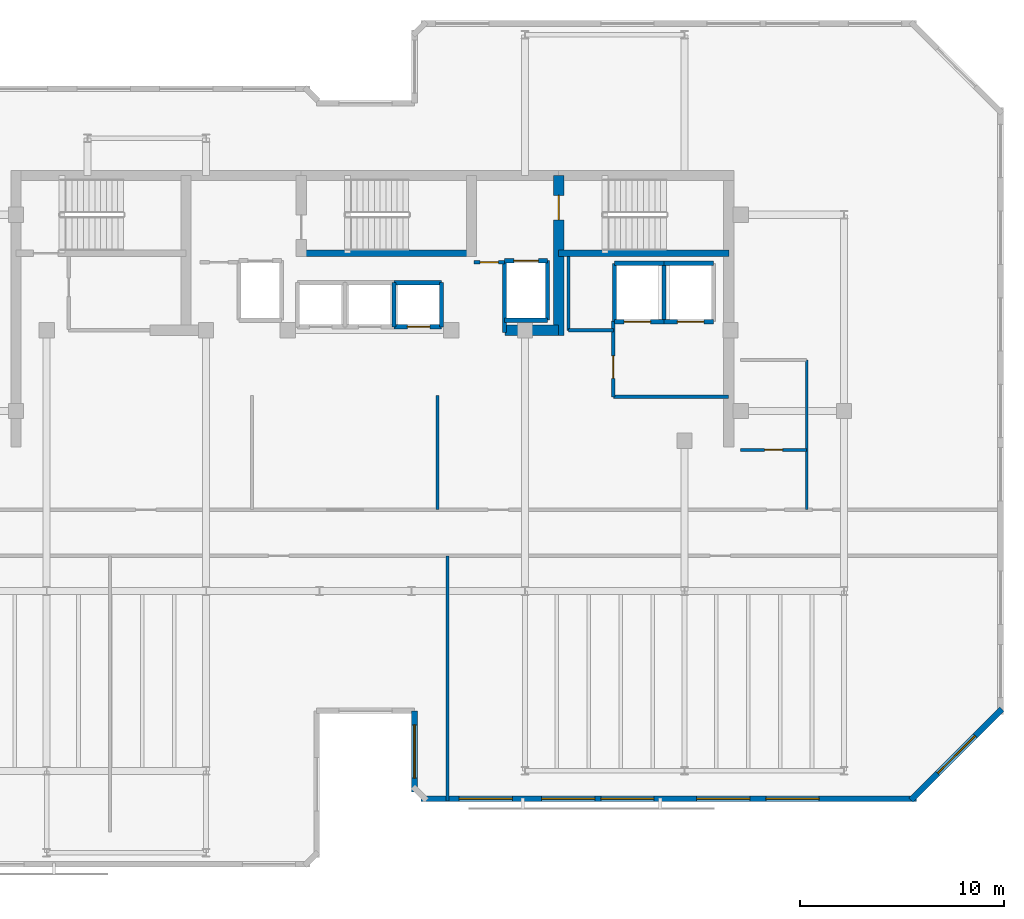
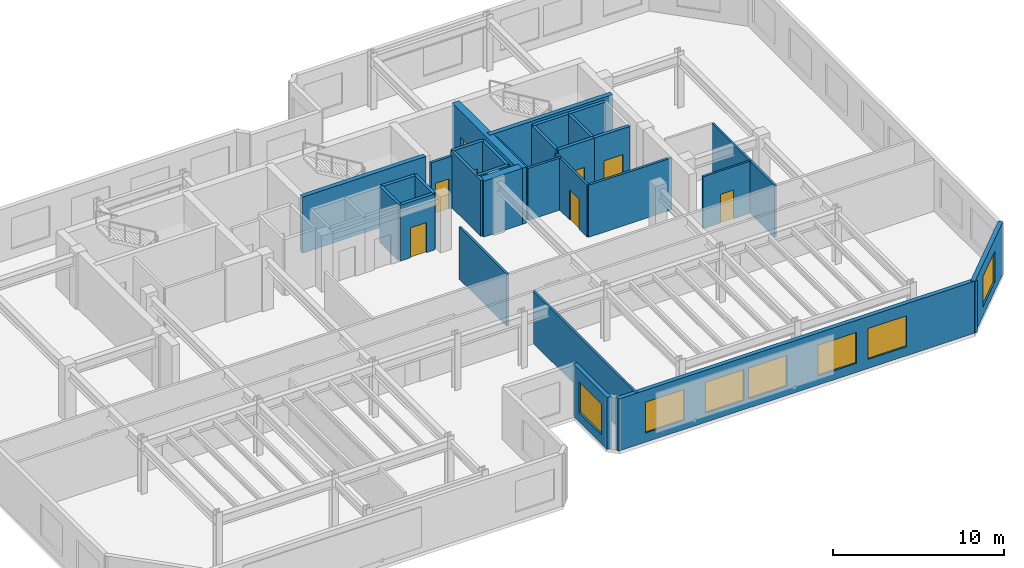
# One storey, part 5 of 9: 30 walls, 8 doors, 7 windows, 15 openings.
"""IFC4 building model written with IfcOpenShell, lengths in metres."""

import ifcopenshell
import ifcopenshell.guid

model = None  # the IFC model being written
_history = None  # IfcOwnerHistory: only IFC2X3 demands one
_inside = {}  # id of a spatial element -> (the spatial element, [elements in it])
_under = {}  # id of a project, library or spatial element -> (it, [spatial elements below it])
_declared = {}  # id of a project -> (the project, [libraries it declares])
_typed = {}  # id of a type object -> (the type object, [elements of that type])
_made_of = {}  # id of a material, layer set ... -> (it, [elements and type objects made of it])


def new_model(schema):
    """Start an empty IFC model of exactly this schema.

    Asked for "IFC4X3", IfcOpenShell would pick the latest addendum, in which some entities
    have other attributes; the version numbers below select the first issue.
    IFC2X3 requires an IfcOwnerHistory on every rooted entity: one is made here for all.
    """
    global model, _history
    if schema == "IFC4X3":
        model = ifcopenshell.file(schema_version=(4, 3, 0, 0))
    else:
        model = ifcopenshell.file(schema=schema)
    _inside.clear()
    _under.clear()
    _declared.clear()
    _typed.clear()
    _made_of.clear()
    _history = None
    if model.schema == "IFC2X3":
        org = make("IfcOrganization", Name="unknown")
        user = make(
            "IfcPersonAndOrganization",
            ThePerson=make("IfcPerson", FamilyName="unknown"),
            TheOrganization=org,
        )
        app = make(
            "IfcApplication",
            ApplicationDeveloper=org,
            Version="unknown",
            ApplicationFullName="unknown",
            ApplicationIdentifier="unknown",
        )
        _history = make(
            "IfcOwnerHistory",
            OwningUser=user,
            OwningApplication=app,
            ChangeAction="ADDED",
            CreationDate=0,
        )
    return model


def make(cls, **values):
    """One entity of the class cls with the attributes given. An attribute that is None is left unset."""
    return model.create_entity(
        cls, **{name: value for name, value in values.items() if value is not None}
    )


def rooted(cls, **values):
    """An entity with a GlobalId (a new one), such as an element, a storey or a relation."""
    return make(cls, GlobalId=ifcopenshell.guid.new(), OwnerHistory=_history, **values)


def si_unit(unit_type, name, prefix=None):
    """IfcSIUnit, for example si_unit("LENGTHUNIT", "METRE", prefix="MILLI")."""
    return make("IfcSIUnit", UnitType=unit_type, Prefix=prefix, Name=name)


def assignment(units):
    """IfcUnitAssignment: the units of a project."""
    return None if units is None else make("IfcUnitAssignment", Units=units)


def point(xyz):
    """IfcCartesianPoint."""
    return None if xyz is None else make("IfcCartesianPoint", Coordinates=xyz)


def direction(xyz):
    """IfcDirection."""
    return None if xyz is None else make("IfcDirection", DirectionRatios=xyz)


def frame(location, z_axis=None, x_axis=None):
    """IfcAxis2Placement3D, a coordinate frame: its origin and axes. An axis left out is left unset."""
    return make(
        "IfcAxis2Placement3D",
        Location=point(location),
        Axis=direction(z_axis),
        RefDirection=direction(x_axis),
    )


def frame_2d(location, x_axis=None):
    """IfcAxis2Placement2D, a coordinate frame in the plane: its origin and x axis."""
    return make(
        "IfcAxis2Placement2D", Location=point(location), RefDirection=direction(x_axis)
    )


def origin():
    """The frame at (0, 0, 0) with its axes left unset."""
    return frame((0.0, 0.0, 0.0))


def place(relative_to, where):
    """IfcLocalPlacement: puts the frame where relative to a parent placement (None: the world)."""
    return make(
        "IfcLocalPlacement", PlacementRelTo=relative_to, RelativePlacement=where
    )


def context(
    kind, dimensions, precision=None, world=None, true_north=None, identifier=None
):
    """IfcGeometricRepresentationContext, for example the 3D "Model" context."""
    return make(
        "IfcGeometricRepresentationContext",
        ContextIdentifier=identifier,
        ContextType=kind,
        CoordinateSpaceDimension=dimensions,
        Precision=precision,
        WorldCoordinateSystem=world,
        TrueNorth=true_north,
    )


def subcontext(parent, identifier, kind, view, scale=None):
    """IfcGeometricRepresentationSubContext, for example "Body" below "Model"."""
    return make(
        "IfcGeometricRepresentationSubContext",
        ContextIdentifier=identifier,
        ContextType=kind,
        ParentContext=parent,
        TargetScale=scale,
        TargetView=view,
    )


def project(units=None, contexts=None):
    """IfcProject with its units and contexts."""
    return rooted(
        "IfcProject",
        Name="project",
        RepresentationContexts=contexts,
        UnitsInContext=assignment(units),
    )


def spatial(cls, under=None, at=None, **own):
    """A site, building, storey or space (cls), placed at a placement, below another one or the project."""
    s = rooted(cls, ObjectPlacement=at, **own)
    if under is not None:
        _under.setdefault(under.id(), (under, []))[1].append(s)
    return s


def profile(cls, at=None, kind="AREA", **sizes):
    """A parametric profile (cls). Its sizes go by their IFC names, for example OverallWidth=200.0."""
    return make(cls, ProfileType=kind, Position=at, **sizes)


def rectangle(**sizes):
    """IfcRectangleProfileDef."""
    return profile("IfcRectangleProfileDef", **sizes)


def extrude(swept, where, along, depth):
    """IfcExtrudedAreaSolid: the profile swept, set in the frame where, extruded along a direction by depth."""
    return make(
        "IfcExtrudedAreaSolid",
        SweptArea=swept,
        Position=where,
        ExtrudedDirection=direction(along),
        Depth=depth,
    )


def shape(context_of_items, identifier, shape_type, items):
    """IfcShapeRepresentation: the items that make up one representation, for example the "Body"."""
    return make(
        "IfcShapeRepresentation",
        ContextOfItems=context_of_items,
        RepresentationIdentifier=identifier,
        RepresentationType=shape_type,
        Items=items,
    )


def material(Name=None, Category=None):
    """IfcMaterial."""
    return make("IfcMaterial", Name=Name, Category=Category)


def layer(
    of_material, thickness, ventilated=None, Name=None, Category=None, Priority=None
):
    """IfcMaterialLayer: one layer of a wall or slab, of a material (None: an air gap)."""
    return make(
        "IfcMaterialLayer",
        Material=of_material,
        LayerThickness=thickness,
        IsVentilated=ventilated,
        Name=Name,
        Category=Category,
        Priority=Priority,
    )


def layer_set(layers, Name=None):
    """IfcMaterialLayerSet."""
    return make("IfcMaterialLayerSet", MaterialLayers=layers, LayerSetName=Name)


def made_of(thing, what):
    """Note that an element or type object is made of a material, layer set ...; save() writes the relation."""
    if what is not None:
        _made_of.setdefault(what.id(), (what, []))[1].append(thing)
    return thing


def type_object(cls, material=None, **own):
    """A type object (cls), such as IfcWallType, which elements share."""
    return made_of(rooted(cls, **own), material)


def element(
    cls,
    number,
    at=None,
    inside=None,
    cuts=None,
    type_object=None,
    material=None,
    context=None,
    identifier="Body",
    shape_type=None,
    held_by="IfcProductDefinitionShape",
    body=None,
    shapes=None,
    **own,
):
    """One element of the class cls, such as IfcWall. Its Tag is "e" and its number.

    at: its placement. inside: the storey or other place that contains it. cuts: it is an
    opening in that element (IfcRelVoidsElement). A single representation is given by context,
    identifier, shape_type and body (its items); several are given by shapes. held_by: the class
    of the entity that holds the representations. save() writes the other relations.
    """
    e = rooted(cls, Tag="e%d" % number, ObjectPlacement=at, **own)
    if body is not None:
        shapes = [shape(context, identifier, shape_type, body)]
    if shapes is not None:
        e.Representation = make(held_by, Representations=shapes)
    if inside is not None:
        _inside.setdefault(inside.id(), (inside, []))[1].append(e)
    if cuts is not None:
        rooted(
            "IfcRelVoidsElement", RelatingBuildingElement=cuts, RelatedOpeningElement=e
        )
    if type_object is not None:
        _typed.setdefault(type_object.id(), (type_object, []))[1].append(e)
    return made_of(e, material)


def fill(opening, filler):
    """IfcRelFillsElement: the door or window that sits in an opening."""
    return rooted(
        "IfcRelFillsElement",
        RelatingOpeningElement=opening,
        RelatedBuildingElement=filler,
    )


def aggregate(whole, parts):
    """IfcRelAggregates: a whole, such as a stair, and the parts it consists of."""
    return rooted("IfcRelAggregates", RelatingObject=whole, RelatedObjects=parts)


def save(model, path):
    """Write the relations noted so far, then the file.

    IfcRelAggregates (storeys below a building ...), IfcRelContainedInSpatialStructure (elements
    in a storey), IfcRelDefinesByType, IfcRelAssociatesMaterial and IfcRelDeclares: one each for
    every whole, place, type object, material and project.
    """
    for whole, parts in _under.values():
        aggregate(whole, parts)
    for where, things in _inside.values():
        rooted(
            "IfcRelContainedInSpatialStructure",
            RelatedElements=things,
            RelatingStructure=where,
        )
    for kind, things in _typed.values():
        rooted("IfcRelDefinesByType", RelatedObjects=things, RelatingType=kind)
    for what, things in _made_of.values():
        rooted("IfcRelAssociatesMaterial", RelatedObjects=things, RelatingMaterial=what)
    for by, libraries in _declared.values():
        rooted("IfcRelDeclares", RelatingContext=by, RelatedDefinitions=libraries)
    model.write(path)


model = new_model("IFC4")

# Units and contexts
model_context = context("Model", 3, precision=1e-05, world=origin(), true_north=direction((0.0, 1.0)))
body_context = subcontext(model_context, "Body", "Model", "MODEL_VIEW")
ifc_project = project(units=[si_unit("LENGTHUNIT", "METRE"), si_unit("AREAUNIT", "SQUARE_METRE"), si_unit("VOLUMEUNIT", "CUBIC_METRE"), si_unit("PLANEANGLEUNIT", "RADIAN"), si_unit("MASSUNIT", "GRAM", prefix="KILO")], contexts=[model_context])

# Site, building, storey
site_placement = place(None, origin())
site = spatial("IfcSite", under=ifc_project, at=site_placement, CompositionType="ELEMENT")
building_placement = place(site_placement, origin())
building = spatial("IfcBuilding", under=site, at=building_placement, Name="Kestravale Grand Hotel", CompositionType="ELEMENT")
storey_placement = place(building_placement, frame((0.0, 0.0, 293.39990234375)))
storey = spatial("IfcBuildingStorey", under=building, at=storey_placement, Name="L73", CompositionType="ELEMENT", Elevation=293.39990234375)

# Wall
ifc_material_1 = material(Name="Concrete f'c 50 MPa", Category="concrete")
ifc_layer_1 = layer(ifc_material_1, 0.5)
ifc_layer_set_1 = layer_set([ifc_layer_1], Name="EW-CORE-500")
wall_type_1 = type_object("IfcWallType", Name="EW-CORE-500", PredefinedType="SHEAR", material=ifc_layer_set_1)
wall_1_placement = place(storey_placement, frame((45.81005859375, 32.75, 0.0), z_axis=(0.0, 0.0, 1.0), x_axis=(1.0, 0.0, 0.0)))
element("IfcWall", 1, at=wall_1_placement, inside=storey, type_object=wall_type_1, Name="L73 core shear wall S2", PredefinedType="SHEAR", context=body_context, shape_type="SweptSolid", body=[
    extrude(rectangle(XDim=2.639892578125, YDim=0.5, at=frame_2d((1.31982421875, 0.0))), origin(), (0.0, 0.0, 1.0), 4.0),
])

# Wall, opening, door
wall_2_placement = place(storey_placement, frame((48.449951171875, 32.5, 0.0), z_axis=(0.0, 0.0, 1.0), x_axis=(0.0, 1.0, 0.0)))
wall_2 = element("IfcWall", 2, at=wall_2_placement, inside=storey, type_object=wall_type_1, Name="L73 core shear wall X4", PredefinedType="SHEAR", context=body_context, shape_type="SweptSolid", body=[
    extrude(rectangle(XDim=7.820068359375, YDim=0.5, at=frame_2d((3.91015625, 0.0))), origin(), (0.0, 0.0, 1.0), 4.0),
])
opening_1_placement = place(wall_2_placement, frame((5.64990234375, 0.0, 0.0)))
opening_1 = element("IfcOpeningElement", 3, at=opening_1_placement, cuts=wall_2, Name="Opening D-ST-1200", PredefinedType="OPENING", context=body_context, shape_type="SweptSolid", body=[
    extrude(rectangle(XDim=1.199951171875, YDim=2.14990234375, at=frame_2d((0.60009765625, 1.074951171875))), frame((0.0, 0.260009765625, 0.0), z_axis=(0.0, -1.0, 0.0), x_axis=(1.0, 0.0, 0.0)), (0.0, 0.0, 1.0), 0.52001953125),
])
ifc_material_2 = material(Name="Galvanised 90-minute fire-rated steel stair door, wide leaf", Category="steel")
door_type_1 = type_object("IfcDoorType", Name="D-ST-1200", OperationType="NOTDEFINED", PredefinedType="DOOR", material=ifc_material_2)
door_1_placement = place(opening_1_placement, origin())
door_1 = element("IfcDoor", 4, at=door_1_placement, inside=storey, type_object=door_type_1, Name="L73 Stair ST-3 FSAE fire door", OperationType="SINGLE_SWING_RIGHT", OverallHeight=2.14990234375, OverallWidth=1.199951171875, PredefinedType="DOOR", context=body_context, shape_type="SweptSolid", body=[
    extrude(rectangle(XDim=1.199951171875, YDim=2.14990234375, at=frame_2d((0.60009765625, 1.074951171875))), frame((0.0, 0.02490234375, 0.0), z_axis=(0.0, -1.0, 0.0), x_axis=(1.0, 0.0, 0.0)), (0.0, 0.0, 1.0), 0.050048828125),
])
fill(opening_1, door_1)

# Wall, opening, window
ifc_material_3 = material(Name="Precast concrete f'c 45 MPa", Category="concrete")
ifc_layer_2 = layer(ifc_material_3, 0.280029296875)
ifc_layer_set_2 = layer_set([ifc_layer_2], Name="EW-PREC-280")
wall_type_2 = type_object("IfcWallType", Name="EW-PREC-280", PredefinedType="SOLIDWALL", material=ifc_layer_set_2)
wall_3_placement = place(storey_placement, frame((41.389892578125, 14.139892578125, 0.0), z_axis=(0.0, 0.0, 1.0), x_axis=(0.0, -1.0, 0.0)))
wall_3 = element("IfcWall", 5, at=wall_3_placement, inside=storey, type_object=wall_type_2, Name="L73 fluted precast facade wall 5", PredefinedType="SOLIDWALL", context=body_context, shape_type="SweptSolid", body=[
    extrude(rectangle(XDim=3.97998046875, YDim=0.280029296875, at=frame_2d((1.989990234375, 0.0))), origin(), (0.0, 0.0, 1.0), 3.710205078125),
])
opening_2_placement = place(wall_3_placement, frame((0.68994140625, 0.0, 0.64990234375)))
opening_2 = element("IfcOpeningElement", 6, at=opening_2_placement, cuts=wall_3, Name="Opening W-SKY-2600", PredefinedType="OPENING", context=body_context, shape_type="SweptSolid", body=[
    extrude(rectangle(XDim=2.60009765625, YDim=2.199951171875, at=frame_2d((1.300048828125, 1.10009765625))), frame((0.0, 0.14990234375, 0.0), z_axis=(0.0, -1.0, 0.0), x_axis=(1.0, 0.0, 0.0)), (0.0, 0.0, 1.0), 0.300048828125),
])
ifc_material_4 = material(Name="Insulated low-E double glazing in aluminium frame", Category="aluminium")
window_type = type_object("IfcWindowType", Name="W-SKY-2600", PartitioningType="TRIPLE_PANEL_VERTICAL", PredefinedType="WINDOW", material=ifc_material_4)
window_1_placement = place(opening_2_placement, origin())
window_1 = element("IfcWindow", 7, at=window_1_placement, inside=storey, type_object=window_type, Name="L73 exterior window 5.1", OverallHeight=2.199951171875, OverallWidth=2.60009765625, PartitioningType="SINGLE_PANEL", PredefinedType="WINDOW", context=body_context, shape_type="SweptSolid", body=[
    extrude(rectangle(XDim=2.60009765625, YDim=2.199951171875, at=frame_2d((1.300048828125, 1.10009765625))), frame((0.0, 0.030029296875, 0.0), z_axis=(0.0, -1.0, 0.0), x_axis=(1.0, 0.0, 0.0)), (0.0, 0.0, 1.0), 0.06005859375),
])
fill(opening_2, window_1)

# Wall, openings, windows
wall_4_placement = place(storey_placement, frame((41.7099609375, 9.840087890625, 0.0), z_axis=(0.0, 0.0, 1.0), x_axis=(1.0, 0.0, 0.0)))
wall_4 = element("IfcWall", 8, at=wall_4_placement, inside=storey, type_object=wall_type_2, Name="L73 fluted precast facade wall 7", PredefinedType="SOLIDWALL", context=body_context, shape_type="SweptSolid", body=[
    extrude(rectangle(XDim=24.22998046875, YDim=0.280029296875, at=frame_2d((12.114990234375, 0.0))), origin(), (0.0, 0.0, 1.0), 3.710205078125),
])
opening_3_placement = place(wall_4_placement, frame((1.869140625, 0.0, 0.64990234375)))
opening_3 = element("IfcOpeningElement", 9, at=opening_3_placement, cuts=wall_4, Name="Opening W-SKY-2600", PredefinedType="OPENING", context=body_context, shape_type="SweptSolid", body=[
    extrude(rectangle(XDim=2.60009765625, YDim=2.199951171875, at=frame_2d((1.300048828125, 1.10009765625))), frame((0.0, 0.14990234375, 0.0), z_axis=(0.0, -1.0, 0.0), x_axis=(1.0, 0.0, 0.0)), (0.0, 0.0, 1.0), 0.300048828125),
])
opening_4_placement = place(wall_4_placement, frame((5.907470703125, 0.0, 0.64990234375)))
opening_4 = element("IfcOpeningElement", 10, at=opening_4_placement, cuts=wall_4, Name="Opening W-SKY-2600", PredefinedType="OPENING", context=body_context, shape_type="SweptSolid", body=[
    extrude(rectangle(XDim=2.60009765625, YDim=2.199951171875, at=frame_2d((1.300048828125, 1.10009765625))), frame((0.0, 0.14990234375, 0.0), z_axis=(0.0, -1.0, 0.0), x_axis=(1.0, 0.0, 0.0)), (0.0, 0.0, 1.0), 0.300048828125),
])
opening_5_placement = place(wall_4_placement, frame((8.7958984375, 0.0, 0.64990234375)))
opening_5 = element("IfcOpeningElement", 11, at=opening_5_placement, cuts=wall_4, Name="Opening W-SKY-2600", PredefinedType="OPENING", context=body_context, shape_type="SweptSolid", body=[
    extrude(rectangle(XDim=2.60009765625, YDim=2.199951171875, at=frame_2d((1.300048828125, 1.10009765625))), frame((0.0, 0.14990234375, 0.0), z_axis=(0.0, -1.0, 0.0), x_axis=(1.0, 0.0, 0.0)), (0.0, 0.0, 1.0), 0.300048828125),
])
opening_6_placement = place(wall_4_placement, frame((13.484130859375, 0.0, 0.64990234375)))
opening_6 = element("IfcOpeningElement", 12, at=opening_6_placement, cuts=wall_4, Name="Opening W-SKY-2600", PredefinedType="OPENING", context=body_context, shape_type="SweptSolid", body=[
    extrude(rectangle(XDim=2.60009765625, YDim=2.199951171875, at=frame_2d((1.300048828125, 1.10009765625))), frame((0.0, 0.14990234375, 0.0), z_axis=(0.0, -1.0, 0.0), x_axis=(1.0, 0.0, 0.0)), (0.0, 0.0, 1.0), 0.300048828125),
])
opening_7_placement = place(wall_4_placement, frame((16.87255859375, 0.0, 0.64990234375)))
opening_7 = element("IfcOpeningElement", 13, at=opening_7_placement, cuts=wall_4, Name="Opening W-SKY-2600", PredefinedType="OPENING", context=body_context, shape_type="SweptSolid", body=[
    extrude(rectangle(XDim=2.60009765625, YDim=2.199951171875, at=frame_2d((1.300048828125, 1.10009765625))), frame((0.0, 0.14990234375, 0.0), z_axis=(0.0, -1.0, 0.0), x_axis=(1.0, 0.0, 0.0)), (0.0, 0.0, 1.0), 0.300048828125),
])
window_2_placement = place(opening_3_placement, origin())
window_2 = element("IfcWindow", 14, at=window_2_placement, inside=storey, type_object=window_type, Name="L73 exterior window 7.1", OverallHeight=2.199951171875, OverallWidth=2.60009765625, PartitioningType="SINGLE_PANEL", PredefinedType="WINDOW", context=body_context, shape_type="SweptSolid", body=[
    extrude(rectangle(XDim=2.60009765625, YDim=2.199951171875, at=frame_2d((1.300048828125, 1.10009765625))), frame((0.0, 0.030029296875, 0.0), z_axis=(0.0, -1.0, 0.0), x_axis=(1.0, 0.0, 0.0)), (0.0, 0.0, 1.0), 0.06005859375),
])
fill(opening_3, window_2)
window_3_placement = place(opening_4_placement, origin())
window_3 = element("IfcWindow", 15, at=window_3_placement, inside=storey, type_object=window_type, Name="L73 exterior window 7.2", OverallHeight=2.199951171875, OverallWidth=2.60009765625, PartitioningType="SINGLE_PANEL", PredefinedType="WINDOW", context=body_context, shape_type="SweptSolid", body=[
    extrude(rectangle(XDim=2.60009765625, YDim=2.199951171875, at=frame_2d((1.300048828125, 1.10009765625))), frame((0.0, 0.030029296875, 0.0), z_axis=(0.0, -1.0, 0.0), x_axis=(1.0, 0.0, 0.0)), (0.0, 0.0, 1.0), 0.06005859375),
])
fill(opening_4, window_3)
window_4_placement = place(opening_5_placement, origin())
window_4 = element("IfcWindow", 16, at=window_4_placement, inside=storey, type_object=window_type, Name="L73 exterior window 7.3", OverallHeight=2.199951171875, OverallWidth=2.60009765625, PartitioningType="SINGLE_PANEL", PredefinedType="WINDOW", context=body_context, shape_type="SweptSolid", body=[
    extrude(rectangle(XDim=2.60009765625, YDim=2.199951171875, at=frame_2d((1.300048828125, 1.10009765625))), frame((0.0, 0.030029296875, 0.0), z_axis=(0.0, -1.0, 0.0), x_axis=(1.0, 0.0, 0.0)), (0.0, 0.0, 1.0), 0.06005859375),
])
fill(opening_5, window_4)
window_5_placement = place(opening_6_placement, origin())
window_5 = element("IfcWindow", 17, at=window_5_placement, inside=storey, type_object=window_type, Name="L73 exterior window 7.4", OverallHeight=2.199951171875, OverallWidth=2.60009765625, PartitioningType="SINGLE_PANEL", PredefinedType="WINDOW", context=body_context, shape_type="SweptSolid", body=[
    extrude(rectangle(XDim=2.60009765625, YDim=2.199951171875, at=frame_2d((1.300048828125, 1.10009765625))), frame((0.0, 0.030029296875, 0.0), z_axis=(0.0, -1.0, 0.0), x_axis=(1.0, 0.0, 0.0)), (0.0, 0.0, 1.0), 0.06005859375),
])
fill(opening_6, window_5)
window_6_placement = place(opening_7_placement, origin())
window_6 = element("IfcWindow", 18, at=window_6_placement, inside=storey, type_object=window_type, Name="L73 exterior window 7.5", OverallHeight=2.199951171875, OverallWidth=2.60009765625, PartitioningType="SINGLE_PANEL", PredefinedType="WINDOW", context=body_context, shape_type="SweptSolid", body=[
    extrude(rectangle(XDim=2.60009765625, YDim=2.199951171875, at=frame_2d((1.300048828125, 1.10009765625))), frame((0.0, 0.030029296875, 0.0), z_axis=(0.0, -1.0, 0.0), x_axis=(1.0, 0.0, 0.0)), (0.0, 0.0, 1.0), 0.06005859375),
])
fill(opening_7, window_6)

# Wall, opening, window
wall_5_placement = place(storey_placement, frame((65.672607421875, 9.770751953125, 0.0), z_axis=(0.0, 0.0, 1.0), x_axis=(0.707126148934, 0.707087412908, 0.0)))
wall_5 = element("IfcWall", 19, at=wall_5_placement, inside=storey, type_object=wall_type_2, Name="L73 fluted precast facade wall 8", PredefinedType="SOLIDWALL", context=body_context, shape_type="SweptSolid", body=[
    extrude(rectangle(XDim=6.302734375, YDim=0.280029296875, at=frame_2d((3.1513671875, 0.0))), origin(), (0.0, 0.0, 1.0), 3.710205078125),
])
opening_8_placement = place(wall_5_placement, frame((1.851318359375, 0.0, 0.64990234375)))
opening_8 = element("IfcOpeningElement", 20, at=opening_8_placement, cuts=wall_5, Name="Opening W-SKY-2600", PredefinedType="OPENING", context=body_context, shape_type="SweptSolid", body=[
    extrude(rectangle(XDim=2.60009765625, YDim=2.199951171875, at=frame_2d((1.300048828125, 1.10009765625))), frame((0.0, 0.14990234375, 0.0), z_axis=(0.0, -1.0, 0.0), x_axis=(1.0, 0.0, 0.0)), (0.0, 0.0, 1.0), 0.300048828125),
])
window_7_placement = place(opening_8_placement, origin())
window_7 = element("IfcWindow", 21, at=window_7_placement, inside=storey, type_object=window_type, Name="L73 exterior window 8.1", OverallHeight=2.199951171875, OverallWidth=2.60009765625, PartitioningType="SINGLE_PANEL", PredefinedType="WINDOW", context=body_context, shape_type="SweptSolid", body=[
    extrude(rectangle(XDim=2.60009765625, YDim=2.199951171875, at=frame_2d((1.300048828125, 1.10009765625))), frame((0.0, 0.030029296875, 0.0), z_axis=(0.0, -1.0, 0.0), x_axis=(1.0, 0.0, 0.0)), (0.0, 0.0, 1.0), 0.06005859375),
])
fill(opening_8, window_7)

# Walls
ifc_material_5 = material(Name="Concrete f'c 45 MPa", Category="concrete")
ifc_layer_3 = layer(ifc_material_5, 0.300048828125)
ifc_layer_set_3 = layer_set([ifc_layer_3], Name="EW-STAIR-300")
wall_type_3 = type_object("IfcWallType", Name="EW-STAIR-300", PredefinedType="SHEAR", material=ifc_layer_set_3)
wall_6_placement = place(storey_placement, frame((35.85009765625, 36.52001953125, 0.0), z_axis=(0.0, 0.0, 1.0), x_axis=(1.0, 0.0, 0.0)))
element("IfcWall", 22, at=wall_6_placement, inside=storey, type_object=wall_type_3, Name="L73 stair enclosure shear wall SST2", PredefinedType="SHEAR", context=body_context, shape_type="SweptSolid", body=[
    extrude(rectangle(XDim=8.329833984375, YDim=0.300048828125, at=frame_2d((4.1650390625, 0.0))), origin(), (0.0, 0.0, 1.0), 4.0),
])
wall_7_placement = place(storey_placement, frame((48.449951171875, 36.52001953125, 0.0), z_axis=(0.0, 0.0, 1.0), x_axis=(1.0, 0.0, 0.0)))
element("IfcWall", 23, at=wall_7_placement, inside=storey, type_object=wall_type_3, Name="L73 stair enclosure shear wall SST3", PredefinedType="SHEAR", context=body_context, shape_type="SweptSolid", body=[
    extrude(rectangle(XDim=8.320068359375, YDim=0.300048828125, at=frame_2d((4.16015625, 0.0))), origin(), (0.0, 0.0, 1.0), 4.0),
])

# Wall, opening, door
ifc_material_6 = material(Name="Acoustic fire-rated gypsum board partition", Category="other")
ifc_layer_4 = layer(ifc_material_6, 0.159912109375)
ifc_layer_set_4 = layer_set([ifc_layer_4], Name="IW-CORR-160")
wall_type_4 = type_object("IfcWallType", Name="IW-CORR-160", PredefinedType="PARTITIONING", material=ifc_layer_set_4)
wall_8_placement = place(storey_placement, frame((51.1201171875, 29.5, 0.0), z_axis=(0.0, 0.0, 1.0), x_axis=(0.0, 1.0, 0.0)))
wall_8 = element("IfcWall", 24, at=wall_8_placement, inside=storey, type_object=wall_type_4, Name="W-L73-SVCLOB-W", PredefinedType="PARTITIONING", context=body_context, shape_type="SweptSolid", body=[
    extrude(rectangle(XDim=3.699951171875, YDim=0.159912109375, at=frame_2d((1.85009765625, 0.0))), origin(), (0.0, 0.0, 1.0), 3.710205078125),
])
opening_9_placement = place(wall_8_placement, frame((0.89990234375, 0.0, 0.0)))
opening_9 = element("IfcOpeningElement", 25, at=opening_9_placement, cuts=wall_8, Name="Opening D-CORR-1100", PredefinedType="OPENING", context=body_context, shape_type="SweptSolid", body=[
    extrude(rectangle(XDim=1.10009765625, YDim=2.14990234375, at=frame_2d((0.550048828125, 1.074951171875))), frame((0.0, 0.08984375, 0.0), z_axis=(0.0, -1.0, 0.0), x_axis=(1.0, 0.0, 0.0)), (0.0, 0.0, 1.0), 0.179931640625),
])
ifc_material_7 = material(Name="Single-leaf service vestibule fire door", Category="steel")
door_type_2 = type_object("IfcDoorType", Name="D-CORR-1100", OperationType="NOTDEFINED", PredefinedType="DOOR", material=ifc_material_7)
door_2_placement = place(opening_9_placement, origin())
door_2 = element("IfcDoor", 26, at=door_2_placement, inside=storey, type_object=door_type_2, Name="L73 service lift lobby door", OperationType="SINGLE_SWING_LEFT", OverallHeight=2.14990234375, OverallWidth=1.10009765625, PredefinedType="DOOR", context=body_context, shape_type="SweptSolid", body=[
    extrude(rectangle(XDim=1.10009765625, YDim=2.14990234375, at=frame_2d((0.550048828125, 1.074951171875))), frame((0.0, 0.02490234375, 0.0), z_axis=(0.0, -1.0, 0.0), x_axis=(1.0, 0.0, 0.0)), (0.0, 0.0, 1.0), 0.050048828125),
])
fill(opening_9, door_2)

# Walls
wall_9_placement = place(storey_placement, frame((51.1201171875, 29.5, 0.0), z_axis=(0.0, 0.0, 1.0), x_axis=(1.0, 0.0, 0.0)))
element("IfcWall", 27, at=wall_9_placement, inside=storey, type_object=wall_type_4, Name="L73 service lift lobby wall", PredefinedType="PARTITIONING", context=body_context, shape_type="SweptSolid", body=[
    extrude(rectangle(XDim=5.6298828125, YDim=0.159912109375, at=frame_2d((2.81494140625, 0.0))), origin(), (0.0, 0.0, 1.0), 3.710205078125),
])
wall_10_placement = place(storey_placement, frame((48.919921875, 32.75, 0.0), z_axis=(0.0, 0.0, 1.0), x_axis=(1.0, 0.0, 0.0)))
element("IfcWall", 28, at=wall_10_placement, inside=storey, type_object=wall_type_4, Name="W-L73-CES", PredefinedType="PARTITIONING", context=body_context, shape_type="SweptSolid", body=[
    extrude(rectangle(XDim=2.2001953125, YDim=0.159912109375, at=frame_2d((1.10009765625, 0.0))), origin(), (0.0, 0.0, 1.0), 3.710205078125),
])

# Wall, opening, door
ifc_material_8 = material(Name="Fire-rated gypsum board on steel studs with mineral wool", Category="steel")
ifc_layer_5 = layer(ifc_material_8, 0.179931640625)
ifc_layer_set_5 = layer_set([ifc_layer_5], Name="IW-FSAE-180")
wall_type_5 = type_object("IfcWallType", Name="IW-FSAE-180", PredefinedType="PARTITIONING", material=ifc_layer_set_5)
wall_11_placement = place(storey_placement, frame((44.300048828125, 36.080078125, 0.0), z_axis=(0.0, 0.0, 1.0), x_axis=(1.0, 0.0, 0.0)))
wall_11 = element("IfcWall", 29, at=wall_11_placement, inside=storey, type_object=wall_type_5, Name="L73 FSAE Lobby 2 smoke barrier", PredefinedType="PARTITIONING", context=body_context, shape_type="SweptSolid", body=[
    extrude(rectangle(XDim=1.5, YDim=0.179931640625, at=frame_2d((0.75, 0.0))), origin(), (0.0, 0.0, 1.0), 3.710205078125),
])
opening_10_placement = place(wall_11_placement, frame((0.300048828125, 0.0, 0.0)))
opening_10 = element("IfcOpeningElement", 30, at=opening_10_placement, cuts=wall_11, Name="Opening D-FSAE-1000", PredefinedType="OPENING", context=body_context, shape_type="SweptSolid", body=[
    extrude(rectangle(XDim=0.89990234375, YDim=2.14990234375, at=frame_2d((0.449951171875, 1.074951171875))), frame((0.0, 0.099853515625, 0.0), z_axis=(0.0, -1.0, 0.0), x_axis=(1.0, 0.0, 0.0)), (0.0, 0.0, 1.0), 0.199951171875),
])
ifc_material_9 = material(Name="Smoke-gasketed FSAE lobby fire door", Category="steel")
door_type_3 = type_object("IfcDoorType", Name="D-FSAE-1000", OperationType="NOTDEFINED", PredefinedType="DOOR", material=ifc_material_9)
door_3_placement = place(opening_10_placement, origin())
door_3 = element("IfcDoor", 31, at=door_3_placement, inside=storey, type_object=door_type_3, Name="L73 FSAE Lobby 2 fire door", OperationType="SINGLE_SWING_LEFT", OverallHeight=2.14990234375, OverallWidth=0.89990234375, PredefinedType="DOOR", context=body_context, shape_type="SweptSolid", body=[
    extrude(rectangle(XDim=0.89990234375, YDim=2.14990234375, at=frame_2d((0.449951171875, 1.074951171875))), frame((0.0, 0.02490234375, 0.0), z_axis=(0.0, -1.0, 0.0), x_axis=(1.0, 0.0, 0.0)), (0.0, 0.0, 1.0), 0.050048828125),
])
fill(opening_10, door_3)

# Wall
ifc_material_10 = material(Name="Moisture-resistant tile-backer plumbing chase wall", Category="other")
ifc_layer_6 = layer(ifc_material_10, 0.139892578125)
ifc_layer_set_6 = layer_set([ifc_layer_6], Name="IW-PLB-140")
wall_type_6 = type_object("IfcWallType", Name="IW-PLB-140", PredefinedType="PLUMBINGWALL", material=ifc_layer_set_6)
wall_12_placement = place(storey_placement, frame((60.580078125, 23.97998046875, 0.0), z_axis=(0.0, 0.0, 1.0), x_axis=(0.0, 1.0, 0.0)))
element("IfcWall", 32, at=wall_12_placement, inside=storey, type_object=wall_type_6, Name="W-L73-NEV", PredefinedType="PLUMBINGWALL", context=body_context, shape_type="SweptSolid", body=[
    extrude(rectangle(XDim=7.320068359375, YDim=0.139892578125, at=frame_2d((3.66015625, 0.0))), origin(), (0.0, 0.0, 1.0), 3.710205078125),
])

# Wall, opening, door
wall_13_placement = place(storey_placement, frame((57.35009765625, 26.89990234375, 0.0), z_axis=(0.0, 0.0, 1.0), x_axis=(1.0, 0.0, 0.0)))
wall_13 = element("IfcWall", 33, at=wall_13_placement, inside=storey, type_object=wall_type_6, Name="W-L73-NE1", PredefinedType="PLUMBINGWALL", context=body_context, shape_type="SweptSolid", body=[
    extrude(rectangle(XDim=3.22998046875, YDim=0.139892578125, at=frame_2d((1.614990234375, 0.0))), origin(), (0.0, 0.0, 1.0), 3.710205078125),
])
opening_11_placement = place(wall_13_placement, frame((1.175048828125, 0.0, 0.0)))
opening_11 = element("IfcOpeningElement", 34, at=opening_11_placement, cuts=wall_13, Name="Opening D-BATH-880", PredefinedType="OPENING", context=body_context, shape_type="SweptSolid", body=[
    extrude(rectangle(XDim=0.8798828125, YDim=2.050048828125, at=frame_2d((0.43994140625, 1.02490234375))), frame((0.0, 0.079833984375, 0.0), z_axis=(0.0, -1.0, 0.0), x_axis=(1.0, 0.0, 0.0)), (0.0, 0.0, 1.0), 0.159912109375),
])
ifc_material_11 = material(Name="Moisture-sealed walnut en-suite bathroom door", Category="wood")
door_type_4 = type_object("IfcDoorType", Name="D-BATH-880", OperationType="NOTDEFINED", PredefinedType="DOOR", material=ifc_material_11)
door_4_placement = place(opening_11_placement, origin())
door_4 = element("IfcDoor", 35, at=door_4_placement, inside=storey, type_object=door_type_4, Name="D-L73-WCM", OperationType="SINGLE_SWING_RIGHT", OverallHeight=2.050048828125, OverallWidth=0.8798828125, PredefinedType="DOOR", context=body_context, shape_type="SweptSolid", body=[
    extrude(rectangle(XDim=0.8798828125, YDim=2.050048828125, at=frame_2d((0.43994140625, 1.02490234375))), frame((0.0, 0.02490234375, 0.0), z_axis=(0.0, -1.0, 0.0), x_axis=(1.0, 0.0, 0.0)), (0.0, 0.0, 1.0), 0.050048828125),
])
fill(opening_11, door_4)

# Walls
ifc_material_12 = material(Name="Concrete f'c 45 MPa", Category="concrete")
ifc_layer_7 = layer(ifc_material_12, 0.199951171875)
ifc_layer_set_7 = layer_set([ifc_layer_7], Name="IW-SHAFT-200")
wall_type_7 = type_object("IfcWallType", Name="IW-SHAFT-200", PredefinedType="SHEAR", material=ifc_layer_set_7)
for number, where, z_axis, x_axis, name in (
    (36, (40.39990234375, 32.919921875, 0.0), (0.0, 0.0, 1.0), (0.0, 1.0, 0.0), "L73 PL-X3 west shaft wall"),
    (37, (42.719970703125, 32.919921875, 0.0), (0.0, 0.0, 1.0), (0.0, 1.0, 0.0), "L73 PL-X3 east shaft wall"),
):
    element("IfcWall", number, at=place(storey_placement, frame(where, z_axis=z_axis, x_axis=x_axis)), inside=storey, type_object=wall_type_7, Name=name, PredefinedType="SHEAR", context=body_context, shape_type="SweptSolid", body=[
        extrude(rectangle(XDim=2.16015625, YDim=0.199951171875, at=frame_2d((1.080078125, 0.0))), origin(), (0.0, 0.0, 1.0), 4.0),
    ])
for number, where, z_axis, x_axis, name in (
    (38, (51.179931640625, 33.169921875, 0.0), (0.0, 0.0, 1.0), (0.0, 1.0, 0.0), "L73 SL-1 west shaft wall"),
    (39, (53.60009765625, 33.169921875, 0.0), (0.0, 0.0, 1.0), (0.0, 1.0, 0.0), "L73 SL-2 west shaft wall"),
):
    element("IfcWall", number, at=place(storey_placement, frame(where, z_axis=z_axis, x_axis=x_axis)), inside=storey, type_object=wall_type_7, Name=name, PredefinedType="SHEAR", context=body_context, shape_type="SweptSolid", body=[
        extrude(rectangle(XDim=2.860107421875, YDim=0.199951171875, at=frame_2d((1.43017578125, 0.0))), origin(), (0.0, 0.0, 1.0), 4.0),
    ])
wall_14_placement = place(storey_placement, frame((45.804931640625, 32.64990234375, 0.0), z_axis=(0.0, 0.0, 1.0), x_axis=(0.0, 1.0, 0.0)))
element("IfcWall", 40, at=wall_14_placement, inside=storey, type_object=wall_type_7, Name="L73 FL-2 west shaft wall", PredefinedType="SHEAR", context=body_context, shape_type="SweptSolid", body=[
    extrude(rectangle(XDim=3.505126953125, YDim=0.199951171875, at=frame_2d((1.75244140625, 0.0))), origin(), (0.0, 0.0, 1.0), 4.0),
])
wall_15_placement = place(storey_placement, frame((47.89501953125, 33.2451171875, 0.0), z_axis=(0.0, 0.0, 1.0), x_axis=(0.0, 1.0, 0.0)))
element("IfcWall", 41, at=wall_15_placement, inside=storey, type_object=wall_type_7, Name="L73 FL-2 east shaft wall", PredefinedType="SHEAR", context=body_context, shape_type="SweptSolid", body=[
    extrude(rectangle(XDim=2.909912109375, YDim=0.199951171875, at=frame_2d((1.455078125, 0.0))), origin(), (0.0, 0.0, 1.0), 4.0),
])
ifc_material_13 = material(Name="Concrete f'c 45 MPa", Category="concrete")
ifc_layer_8 = layer(ifc_material_13, 0.219970703125)
ifc_layer_set_8 = layer_set([ifc_layer_8], Name="IW-SHAFT-220")
wall_type_8 = type_object("IfcWallType", Name="IW-SHAFT-220", PredefinedType="SHEAR", material=ifc_layer_set_8)
wall_16_placement = place(storey_placement, frame((40.39990234375, 35.080078125, 0.0), z_axis=(0.0, 0.0, 1.0), x_axis=(1.0, 0.0, 0.0)))
element("IfcWall", 42, at=wall_16_placement, inside=storey, type_object=wall_type_8, Name="L73 PL-X3 north shaft wall", PredefinedType="SHEAR", context=body_context, shape_type="SweptSolid", body=[
    extrude(rectangle(XDim=2.320068359375, YDim=0.219970703125, at=frame_2d((1.16015625, 0.0))), origin(), (0.0, 0.0, 1.0), 4.0),
])

# Wall, opening, door
wall_17_placement = place(storey_placement, frame((40.39990234375, 32.919921875, 0.0), z_axis=(0.0, 0.0, 1.0), x_axis=(1.0, 0.0, 0.0)))
wall_17 = element("IfcWall", 43, at=wall_17_placement, inside=storey, type_object=wall_type_8, Name="L73 PL-X3 south shaft wall", PredefinedType="SHEAR", context=body_context, shape_type="SweptSolid", body=[
    extrude(rectangle(XDim=2.320068359375, YDim=0.219970703125, at=frame_2d((1.16015625, 0.0))), origin(), (0.0, 0.0, 1.0), 4.0),
])
opening_12_placement = place(wall_17_placement, frame((0.64990234375, 0.0, 0.0)))
opening_12 = element("IfcOpeningElement", 44, at=opening_12_placement, cuts=wall_17, Name="Opening LD-PAX-1100", PredefinedType="OPENING", context=body_context, shape_type="SweptSolid", body=[
    extrude(rectangle(XDim=1.10009765625, YDim=2.14990234375, at=frame_2d((0.550048828125, 1.074951171875))), frame((0.0, 0.119873046875, 0.0), z_axis=(0.0, -1.0, 0.0), x_axis=(1.0, 0.0, 0.0)), (0.0, 0.0, 1.0), 0.239990234375),
])
ifc_material_14 = material(Name="Champagne-bronze center-opening sliding elevator landing door", Category="steel")
door_type_5 = type_object("IfcDoorType", Name="LD-PAX-1100", OperationType="NOTDEFINED", PredefinedType="DOOR", material=ifc_material_14)
door_5_placement = place(opening_12_placement, origin())
door_5 = element("IfcDoor", 45, at=door_5_placement, inside=storey, type_object=door_type_5, Name="L73 PL-X3 elevator landing sliding door", OperationType="DOUBLE_DOOR_SLIDING", OverallHeight=2.14990234375, OverallWidth=1.10009765625, PredefinedType="DOOR", context=body_context, shape_type="SweptSolid", body=[
    extrude(rectangle(XDim=1.10009765625, YDim=2.14990234375, at=frame_2d((0.550048828125, 1.074951171875))), frame((0.0, 0.02490234375, 0.0), z_axis=(0.0, -1.0, 0.0), x_axis=(1.0, 0.0, 0.0)), (0.0, 0.0, 1.0), 0.050048828125),
])
fill(opening_12, door_5)

# Wall
wall_18_placement = place(storey_placement, frame((51.179931640625, 36.030029296875, 0.0), z_axis=(0.0, 0.0, 1.0), x_axis=(1.0, 0.0, 0.0)))
element("IfcWall", 46, at=wall_18_placement, inside=storey, type_object=wall_type_8, Name="L73 SL-1 north shaft wall", PredefinedType="SHEAR", context=body_context, shape_type="SweptSolid", body=[
    extrude(rectangle(XDim=2.420166015625, YDim=0.219970703125, at=frame_2d((1.2099609375, 0.0))), origin(), (0.0, 0.0, 1.0), 4.0),
])

# Wall, opening, door
wall_19_placement = place(storey_placement, frame((51.179931640625, 33.169921875, 0.0), z_axis=(0.0, 0.0, 1.0), x_axis=(1.0, 0.0, 0.0)))
wall_19 = element("IfcWall", 47, at=wall_19_placement, inside=storey, type_object=wall_type_8, Name="L73 SL-1 south shaft wall", PredefinedType="SHEAR", context=body_context, shape_type="SweptSolid", body=[
    extrude(rectangle(XDim=2.420166015625, YDim=0.219970703125, at=frame_2d((1.2099609375, 0.0))), origin(), (0.0, 0.0, 1.0), 4.0),
])
opening_13_placement = place(wall_19_placement, frame((0.469970703125, 0.0, 0.0)))
opening_13 = element("IfcOpeningElement", 48, at=opening_13_placement, cuts=wall_19, Name="Opening LD-SVC-1300", PredefinedType="OPENING", context=body_context, shape_type="SweptSolid", body=[
    extrude(rectangle(XDim=1.300048828125, YDim=2.14990234375, at=frame_2d((0.64990234375, 1.074951171875))), frame((0.0, 0.119873046875, 0.0), z_axis=(0.0, -1.0, 0.0), x_axis=(1.0, 0.0, 0.0)), (0.0, 0.0, 1.0), 0.239990234375),
])
ifc_material_15 = material(Name="Heavy-duty service sliding elevator landing door", Category="steel")
door_type_6 = type_object("IfcDoorType", Name="LD-SVC-1300", OperationType="NOTDEFINED", PredefinedType="DOOR", material=ifc_material_15)
door_6_placement = place(opening_13_placement, origin())
door_6 = element("IfcDoor", 49, at=door_6_placement, inside=storey, type_object=door_type_6, Name="L73 SL-1 elevator landing sliding door", OperationType="DOUBLE_DOOR_SLIDING", OverallHeight=2.14990234375, OverallWidth=1.300048828125, PredefinedType="DOOR", context=body_context, shape_type="SweptSolid", body=[
    extrude(rectangle(XDim=1.300048828125, YDim=2.14990234375, at=frame_2d((0.64990234375, 1.074951171875))), frame((0.0, 0.02490234375, 0.0), z_axis=(0.0, -1.0, 0.0), x_axis=(1.0, 0.0, 0.0)), (0.0, 0.0, 1.0), 0.050048828125),
])
fill(opening_13, door_6)

# Wall
wall_20_placement = place(storey_placement, frame((53.60009765625, 36.030029296875, 0.0), z_axis=(0.0, 0.0, 1.0), x_axis=(1.0, 0.0, 0.0)))
element("IfcWall", 50, at=wall_20_placement, inside=storey, type_object=wall_type_8, Name="L73 SL-2 north shaft wall", PredefinedType="SHEAR", context=body_context, shape_type="SweptSolid", body=[
    extrude(rectangle(XDim=2.419921875, YDim=0.219970703125, at=frame_2d((1.2099609375, 0.0))), origin(), (0.0, 0.0, 1.0), 4.0),
])

# Wall, opening, door
wall_21_placement = place(storey_placement, frame((53.60009765625, 33.169921875, 0.0), z_axis=(0.0, 0.0, 1.0), x_axis=(1.0, 0.0, 0.0)))
wall_21 = element("IfcWall", 51, at=wall_21_placement, inside=storey, type_object=wall_type_8, Name="L73 SL-2 south shaft wall", PredefinedType="SHEAR", context=body_context, shape_type="SweptSolid", body=[
    extrude(rectangle(XDim=2.419921875, YDim=0.219970703125, at=frame_2d((1.2099609375, 0.0))), origin(), (0.0, 0.0, 1.0), 4.0),
])
opening_14_placement = place(wall_21_placement, frame((0.64990234375, 0.0, 0.0)))
opening_14 = element("IfcOpeningElement", 52, at=opening_14_placement, cuts=wall_21, Name="Opening LD-SVC-1300", PredefinedType="OPENING", context=body_context, shape_type="SweptSolid", body=[
    extrude(rectangle(XDim=1.300048828125, YDim=2.14990234375, at=frame_2d((0.64990234375, 1.074951171875))), frame((0.0, 0.119873046875, 0.0), z_axis=(0.0, -1.0, 0.0), x_axis=(1.0, 0.0, 0.0)), (0.0, 0.0, 1.0), 0.239990234375),
])
door_7_placement = place(opening_14_placement, origin())
door_7 = element("IfcDoor", 53, at=door_7_placement, inside=storey, type_object=door_type_6, Name="L73 SL-2 elevator landing sliding door", OperationType="DOUBLE_DOOR_SLIDING", OverallHeight=2.14990234375, OverallWidth=1.300048828125, PredefinedType="DOOR", context=body_context, shape_type="SweptSolid", body=[
    extrude(rectangle(XDim=1.300048828125, YDim=2.14990234375, at=frame_2d((0.64990234375, 1.074951171875))), frame((0.0, 0.02490234375, 0.0), z_axis=(0.0, -1.0, 0.0), x_axis=(1.0, 0.0, 0.0)), (0.0, 0.0, 1.0), 0.050048828125),
])
fill(opening_14, door_7)

wall_22_placement = place(storey_placement, frame((45.804931640625, 36.155029296875, 0.0), z_axis=(0.0, 0.0, 1.0), x_axis=(1.0, 0.0, 0.0)))
wall_22 = element("IfcWall", 54, at=wall_22_placement, inside=storey, type_object=wall_type_8, Name="L73 FL-2 north shaft wall", PredefinedType="SHEAR", context=body_context, shape_type="SweptSolid", body=[
    extrude(rectangle(XDim=2.090087890625, YDim=0.219970703125, at=frame_2d((1.044921875, 0.0))), origin(), (0.0, 0.0, 1.0), 4.0),
])
opening_15_placement = place(wall_22_placement, frame((0.445068359375, 0.0, 0.0)))
opening_15 = element("IfcOpeningElement", 55, at=opening_15_placement, cuts=wall_22, Name="Opening LD-FSAE-1200", PredefinedType="OPENING", context=body_context, shape_type="SweptSolid", body=[
    extrude(rectangle(XDim=1.199951171875, YDim=2.14990234375, at=frame_2d((0.60009765625, 1.074951171875))), frame((0.0, 0.119873046875, 0.0), z_axis=(0.0, -1.0, 0.0), x_axis=(1.0, 0.0, 0.0)), (0.0, 0.0, 1.0), 0.239990234375),
])
ifc_material_16 = material(Name="Stainless fire-service sliding elevator landing door", Category="steel")
door_type_7 = type_object("IfcDoorType", Name="LD-FSAE-1200", OperationType="NOTDEFINED", PredefinedType="DOOR", material=ifc_material_16)
door_8_placement = place(opening_15_placement, origin())
door_8 = element("IfcDoor", 56, at=door_8_placement, inside=storey, type_object=door_type_7, Name="L73 FL-2 elevator landing sliding door", OperationType="DOUBLE_DOOR_SLIDING", OverallHeight=2.14990234375, OverallWidth=1.199951171875, PredefinedType="DOOR", context=body_context, shape_type="SweptSolid", body=[
    extrude(rectangle(XDim=1.199951171875, YDim=2.14990234375, at=frame_2d((0.60009765625, 1.074951171875))), frame((0.0, 0.02490234375, 0.0), z_axis=(0.0, -1.0, 0.0), x_axis=(1.0, 0.0, 0.0)), (0.0, 0.0, 1.0), 0.050048828125),
])
fill(opening_15, door_8)

# Walls
wall_23_placement = place(storey_placement, frame((45.804931640625, 33.2451171875, 0.0), z_axis=(0.0, 0.0, 1.0), x_axis=(1.0, 0.0, 0.0)))
element("IfcWall", 57, at=wall_23_placement, inside=storey, type_object=wall_type_8, Name="L73 FL-2 south shaft wall", PredefinedType="SHEAR", context=body_context, shape_type="SweptSolid", body=[
    extrude(rectangle(XDim=2.090087890625, YDim=0.219970703125, at=frame_2d((1.044921875, 0.0))), origin(), (0.0, 0.0, 1.0), 4.0),
])
ifc_material_17 = material(Name="Double-stud STC 52 acoustic demising partition", Category="other")
ifc_layer_9 = layer(ifc_material_17, 0.14990234375)
ifc_layer_set_9 = layer_set([ifc_layer_9], Name="IW-UNIT-150")
wall_type_9 = type_object("IfcWallType", Name="IW-UNIT-150", PredefinedType="PARTITIONING", material=ifc_layer_set_9)
wall_24_placement = place(storey_placement, frame((48.919921875, 32.75, 0.0), z_axis=(0.0, 0.0, 1.0), x_axis=(0.0, 1.0, 0.0)))
element("IfcWall", 58, at=wall_24_placement, inside=storey, type_object=wall_type_9, Name="W-L73-CEW", PredefinedType="PARTITIONING", context=body_context, shape_type="SweptSolid", body=[
    extrude(rectangle(XDim=3.6201171875, YDim=0.14990234375, at=frame_2d((1.81005859375, 0.0))), origin(), (0.0, 0.0, 1.0), 3.710205078125),
])
wall_25_placement = place(storey_placement, frame((42.52001953125, 23.97998046875, 0.0), z_axis=(0.0, 0.0, 1.0), x_axis=(0.0, 1.0, 0.0)))
element("IfcWall", 59, at=wall_25_placement, inside=storey, type_object=wall_type_9, Name="W-L73-RCLE-W", PredefinedType="PARTITIONING", context=body_context, shape_type="SweptSolid", body=[
    extrude(rectangle(XDim=5.570068359375, YDim=0.14990234375, at=frame_2d((2.78515625, 0.0))), origin(), (0.0, 0.0, 1.0), 3.710205078125),
])
wall_26_placement = place(storey_placement, frame((43.0, 9.719970703125, 0.0), z_axis=(0.0, 0.0, 1.0), x_axis=(0.0, 1.0, 0.0)))
element("IfcWall", 60, at=wall_26_placement, inside=storey, type_object=wall_type_9, Name="W-L73-SD-2", PredefinedType="PARTITIONING", context=body_context, shape_type="SweptSolid", body=[
    extrude(rectangle(XDim=12.0, YDim=0.14990234375, at=frame_2d((6.0, 0.0))), origin(), (0.0, 0.0, 1.0), 3.710205078125),
])

save(model, "model.ifc")
